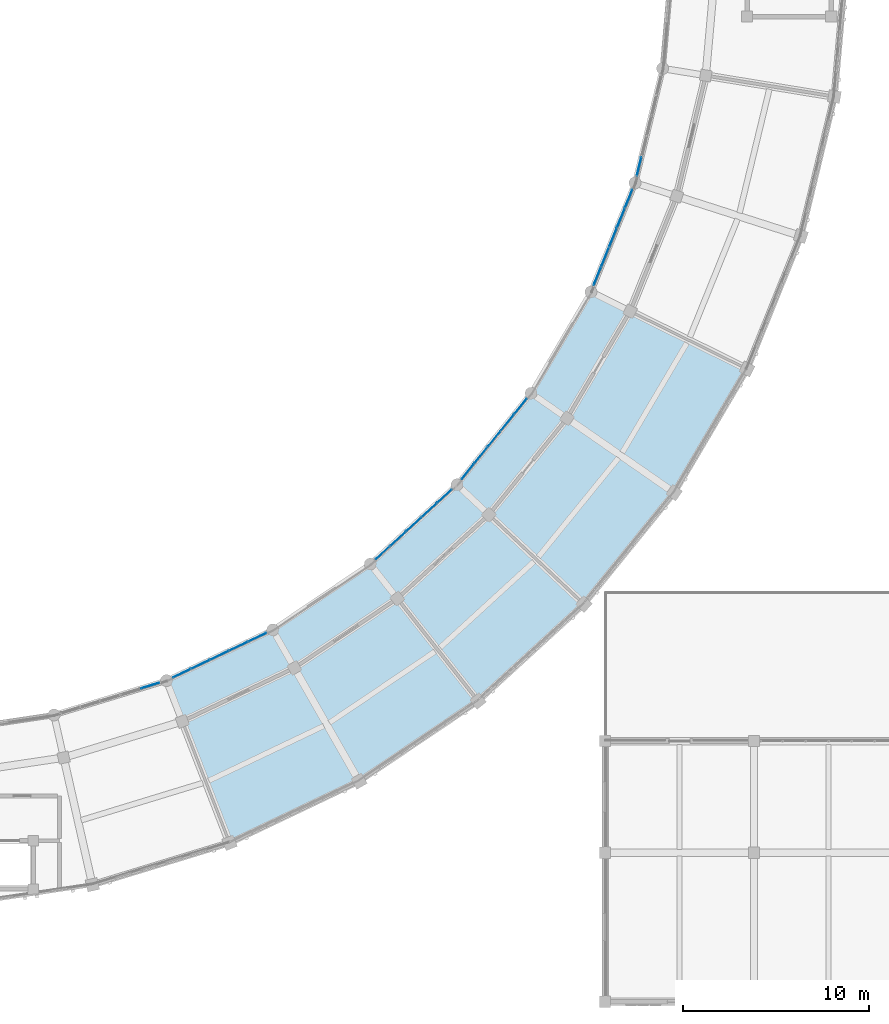
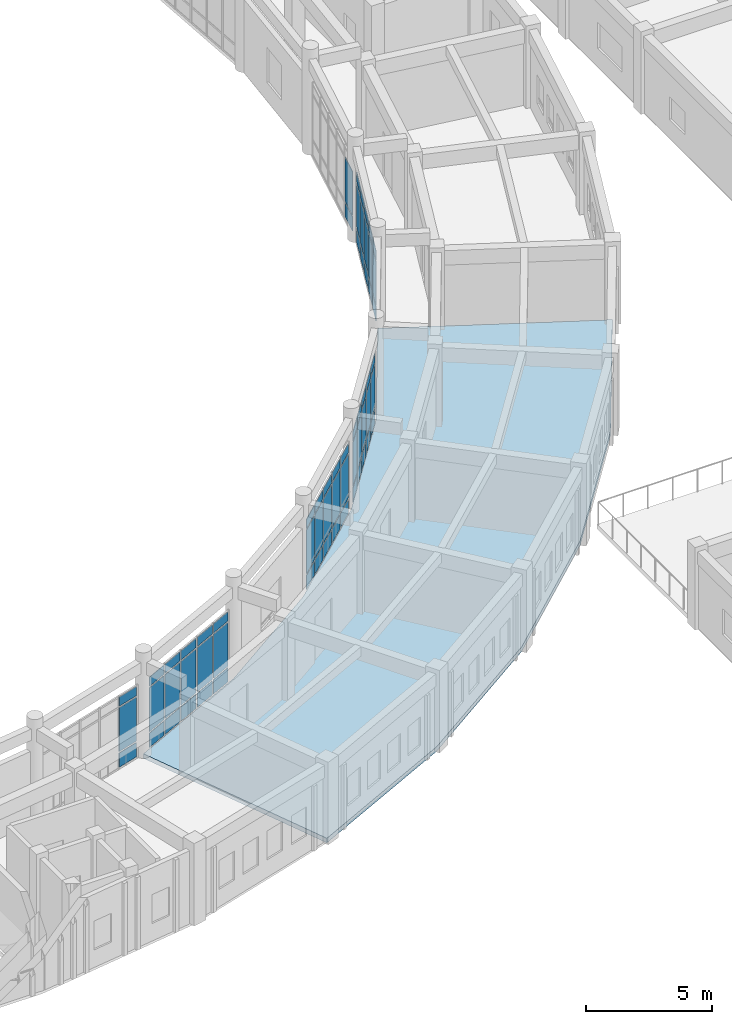
# One storey, part 106 of 159: 65 plates, 1 slab, 6 elements without a shape of their own.
"""IFC4 building model written with IfcOpenShell, lengths in metres."""

from ifc_helpers import new_model, si_unit, direction, frame, origin, origin_2d, place, context, subcontext, project, spatial, polyline, rectangle, outline, extrude, material, layer, layer_set, type_object, element, aggregate, save


model = new_model("IFC4")

# Units and contexts
model_context = context("Model", 3, precision=1e-05, world=origin(), true_north=direction((0.0, 1.0)))
body_context = subcontext(model_context, "Body", "Model", "MODEL_VIEW")
ifc_project = project(units=[si_unit("LENGTHUNIT", "METRE"), si_unit("AREAUNIT", "SQUARE_METRE"), si_unit("VOLUMEUNIT", "CUBIC_METRE"), si_unit("PLANEANGLEUNIT", "RADIAN"), si_unit("MASSUNIT", "GRAM", prefix="KILO")], contexts=[model_context])

# Site, building, storey
site_placement = place(None, origin())
site = spatial("IfcSite", under=ifc_project, at=site_placement, CompositionType="ELEMENT")
building_placement = place(site_placement, origin())
building = spatial("IfcBuilding", under=site, at=building_placement, Name="Celadon Cloister-Ring School", CompositionType="ELEMENT")
storey_placement = place(building_placement, frame((0.0, 0.0, 4.5)))
storey = spatial("IfcBuildingStorey", under=building, at=storey_placement, Name="L01", CompositionType="ELEMENT", Elevation=4.5)

# Curtain wall, plates
ifc_material_1 = material(Name="Aluminium EN AW-6063 T6", Category="aluminium")
curtain_wall_type = type_object("IfcCurtainWallType", Name="CW-01", PredefinedType="USERDEFINED", material=ifc_material_1)
curtain_wall_1_placement = place(storey_placement, origin())
curtain_wall_1 = element("IfcCurtainWall", 1, at=curtain_wall_1_placement, inside=storey, type_object=curtain_wall_type, Name="Curtain Wall 0033", ObjectType="CURTAIN WALL", PredefinedType="USERDEFINED")
ifc_material_2 = material(Name="Tempered laminated insulating glass", Category="glass")
ifc_layer_1 = layer(ifc_material_2, 0.028076171875)
ifc_layer_set_1 = layer_set([ifc_layer_1], Name="Tempered laminated insulating glass")
plate_type = type_object("IfcPlateType", Name="CPN-02", PredefinedType="CURTAIN_PANEL", material=ifc_layer_set_1)
plate_1_placement = place(storey_placement, frame((101.578857421875, 18.98046875, 0.074951171875), z_axis=(0.0, 0.0, 1.0), x_axis=(0.956372111578, 0.2921513036, 0.0)))
plate_1 = element("IfcPlate", 2, at=plate_1_placement, type_object=plate_type, Name="CW-01 panel 5.1", PredefinedType="CURTAIN_PANEL", context=body_context, shape_type="SweptSolid", body=[
    extrude(rectangle(XDim=1.013671875, YDim=0.028076171875, at=origin_2d()), origin(), (0.0, 0.0, 1.0), 0.6875),
])
plate_2_placement = place(storey_placement, frame((101.578857421875, 18.98046875, 0.83740234375), z_axis=(0.0, 0.0, 1.0), x_axis=(0.956372111578, 0.2921513036, 0.0)))
plate_2 = element("IfcPlate", 3, at=plate_2_placement, type_object=plate_type, Name="CW-01 panel 5.2", PredefinedType="CURTAIN_PANEL", context=body_context, shape_type="SweptSolid", body=[
    extrude(rectangle(XDim=1.013671875, YDim=0.028076171875, at=origin_2d()), origin(), (0.0, 0.0, 1.0), 2.125),
])
plate_3_placement = place(storey_placement, frame((101.578857421875, 18.98046875, 3.03759765625), z_axis=(0.0, 0.0, 1.0), x_axis=(0.956372111578, 0.2921513036, 0.0)))
plate_3 = element("IfcPlate", 4, at=plate_3_placement, type_object=plate_type, Name="CW-01 panel 5.3", PredefinedType="CURTAIN_PANEL", context=body_context, shape_type="SweptSolid", body=[
    extrude(rectangle(XDim=1.013671875, YDim=0.028076171875, at=origin_2d()), origin(), (0.0, 0.0, 1.0), 0.4375),
])
aggregate(curtain_wall_1, [plate_1, plate_2, plate_3])

curtain_wall_2_placement = place(storey_placement, origin())
curtain_wall_2 = element("IfcCurtainWall", 5, at=curtain_wall_2_placement, inside=storey, type_object=curtain_wall_type, Name="Curtain Wall 0034", ObjectType="CURTAIN WALL", PredefinedType="USERDEFINED")
plate_4_placement = place(storey_placement, frame((103.27392578125, 19.639404296875, 0.074951171875), z_axis=(0.0, 0.0, 1.0), x_axis=(0.902733326361, 0.430200582842, 0.0)))
plate_4 = element("IfcPlate", 6, at=plate_4_placement, type_object=plate_type, Name="CW-01 panel 1.1", PredefinedType="CURTAIN_PANEL", context=body_context, shape_type="SweptSolid", body=[
    extrude(rectangle(XDim=1.013916015625, YDim=0.028076171875, at=origin_2d()), origin(), (0.0, 0.0, 1.0), 0.6875),
])
plate_5_placement = place(storey_placement, frame((103.27392578125, 19.639404296875, 0.83740234375), z_axis=(0.0, 0.0, 1.0), x_axis=(0.902733326361, 0.430200582842, 0.0)))
plate_5 = element("IfcPlate", 7, at=plate_5_placement, type_object=plate_type, Name="CW-01 panel 1.2", PredefinedType="CURTAIN_PANEL", context=body_context, shape_type="SweptSolid", body=[
    extrude(rectangle(XDim=1.013916015625, YDim=0.028076171875, at=origin_2d()), origin(), (0.0, 0.0, 1.0), 2.125),
])
plate_6_placement = place(storey_placement, frame((103.27392578125, 19.639404296875, 3.03759765625), z_axis=(0.0, 0.0, 1.0), x_axis=(0.902733326361, 0.430200582842, 0.0)))
plate_6 = element("IfcPlate", 8, at=plate_6_placement, type_object=plate_type, Name="CW-01 panel 1.3", PredefinedType="CURTAIN_PANEL", context=body_context, shape_type="SweptSolid", body=[
    extrude(rectangle(XDim=1.013916015625, YDim=0.028076171875, at=origin_2d()), origin(), (0.0, 0.0, 1.0), 0.4375),
])
plate_7_placement = place(storey_placement, frame((104.279296875, 20.11865234375, 0.074951171875), z_axis=(0.0, 0.0, 1.0), x_axis=(0.902733326361, 0.430200582842, 0.0)))
plate_7 = element("IfcPlate", 9, at=plate_7_placement, type_object=plate_type, Name="CW-01 panel 2.1", PredefinedType="CURTAIN_PANEL", context=body_context, shape_type="SweptSolid", body=[
    extrude(rectangle(XDim=1.053955078125, YDim=0.028076171875, at=origin_2d()), origin(), (0.0, 0.0, 1.0), 0.6875),
])
plate_8_placement = place(storey_placement, frame((104.279296875, 20.11865234375, 0.83740234375), z_axis=(0.0, 0.0, 1.0), x_axis=(0.902733326361, 0.430200582842, 0.0)))
plate_8 = element("IfcPlate", 10, at=plate_8_placement, type_object=plate_type, Name="CW-01 panel 2.2", PredefinedType="CURTAIN_PANEL", context=body_context, shape_type="SweptSolid", body=[
    extrude(rectangle(XDim=1.053955078125, YDim=0.028076171875, at=origin_2d()), origin(), (0.0, 0.0, 1.0), 2.125),
])
plate_9_placement = place(storey_placement, frame((104.279296875, 20.11865234375, 3.03759765625), z_axis=(0.0, 0.0, 1.0), x_axis=(0.902733326361, 0.430200582842, 0.0)))
plate_9 = element("IfcPlate", 11, at=plate_9_placement, type_object=plate_type, Name="CW-01 panel 2.3", PredefinedType="CURTAIN_PANEL", context=body_context, shape_type="SweptSolid", body=[
    extrude(rectangle(XDim=1.053955078125, YDim=0.028076171875, at=origin_2d()), origin(), (0.0, 0.0, 1.0), 0.4375),
])
plate_10_placement = place(storey_placement, frame((105.302978515625, 20.6064453125, 0.074951171875), z_axis=(0.0, 0.0, 1.0), x_axis=(0.902733326361, 0.430200582842, 0.0)))
plate_10 = element("IfcPlate", 12, at=plate_10_placement, type_object=plate_type, Name="CW-01 panel 3.1", PredefinedType="CURTAIN_PANEL", context=body_context, shape_type="SweptSolid", body=[
    extrude(rectangle(XDim=1.053955078125, YDim=0.028076171875, at=origin_2d()), origin(), (0.0, 0.0, 1.0), 0.6875),
])
plate_11_placement = place(storey_placement, frame((105.302978515625, 20.6064453125, 0.83740234375), z_axis=(0.0, 0.0, 1.0), x_axis=(0.902733326361, 0.430200582842, 0.0)))
plate_11 = element("IfcPlate", 13, at=plate_11_placement, type_object=plate_type, Name="CW-01 panel 3.2", PredefinedType="CURTAIN_PANEL", context=body_context, shape_type="SweptSolid", body=[
    extrude(rectangle(XDim=1.053955078125, YDim=0.028076171875, at=origin_2d()), origin(), (0.0, 0.0, 1.0), 2.125),
])
plate_12_placement = place(storey_placement, frame((105.302978515625, 20.6064453125, 3.03759765625), z_axis=(0.0, 0.0, 1.0), x_axis=(0.902733326361, 0.430200582842, 0.0)))
plate_12 = element("IfcPlate", 14, at=plate_12_placement, type_object=plate_type, Name="CW-01 panel 3.3", PredefinedType="CURTAIN_PANEL", context=body_context, shape_type="SweptSolid", body=[
    extrude(rectangle(XDim=1.053955078125, YDim=0.028076171875, at=origin_2d()), origin(), (0.0, 0.0, 1.0), 0.4375),
])
plate_13_placement = place(storey_placement, frame((106.32666015625, 21.09423828125, 0.074951171875), z_axis=(0.0, 0.0, 1.0), x_axis=(0.902733326361, 0.430200582842, 0.0)))
plate_13 = element("IfcPlate", 15, at=plate_13_placement, type_object=plate_type, Name="CW-01 panel 4.1", PredefinedType="CURTAIN_PANEL", context=body_context, shape_type="SweptSolid", body=[
    extrude(rectangle(XDim=1.053955078125, YDim=0.028076171875, at=origin_2d()), origin(), (0.0, 0.0, 1.0), 0.6875),
])
plate_14_placement = place(storey_placement, frame((106.32666015625, 21.09423828125, 0.83740234375), z_axis=(0.0, 0.0, 1.0), x_axis=(0.902733326361, 0.430200582842, 0.0)))
plate_14 = element("IfcPlate", 16, at=plate_14_placement, type_object=plate_type, Name="CW-01 panel 4.2", PredefinedType="CURTAIN_PANEL", context=body_context, shape_type="SweptSolid", body=[
    extrude(rectangle(XDim=1.053955078125, YDim=0.028076171875, at=origin_2d()), origin(), (0.0, 0.0, 1.0), 2.125),
])
plate_15_placement = place(storey_placement, frame((106.32666015625, 21.09423828125, 3.03759765625), z_axis=(0.0, 0.0, 1.0), x_axis=(0.902733326361, 0.430200582842, 0.0)))
plate_15 = element("IfcPlate", 17, at=plate_15_placement, type_object=plate_type, Name="CW-01 panel 4.3", PredefinedType="CURTAIN_PANEL", context=body_context, shape_type="SweptSolid", body=[
    extrude(rectangle(XDim=1.053955078125, YDim=0.028076171875, at=origin_2d()), origin(), (0.0, 0.0, 1.0), 0.4375),
])
plate_16_placement = place(storey_placement, frame((107.33203125, 21.573486328125, 0.074951171875), z_axis=(0.0, 0.0, 1.0), x_axis=(0.902733326361, 0.430200582842, 0.0)))
plate_16 = element("IfcPlate", 18, at=plate_16_placement, type_object=plate_type, Name="CW-01 panel 5.1", PredefinedType="CURTAIN_PANEL", context=body_context, shape_type="SweptSolid", body=[
    extrude(rectangle(XDim=1.013916015625, YDim=0.028076171875, at=origin_2d()), origin(), (0.0, 0.0, 1.0), 0.6875),
])
plate_17_placement = place(storey_placement, frame((107.33203125, 21.573486328125, 0.83740234375), z_axis=(0.0, 0.0, 1.0), x_axis=(0.902733326361, 0.430200582842, 0.0)))
plate_17 = element("IfcPlate", 19, at=plate_17_placement, type_object=plate_type, Name="CW-01 panel 5.2", PredefinedType="CURTAIN_PANEL", context=body_context, shape_type="SweptSolid", body=[
    extrude(rectangle(XDim=1.013916015625, YDim=0.028076171875, at=origin_2d()), origin(), (0.0, 0.0, 1.0), 2.125),
])
plate_18_placement = place(storey_placement, frame((107.33203125, 21.573486328125, 3.03759765625), z_axis=(0.0, 0.0, 1.0), x_axis=(0.902733326361, 0.430200582842, 0.0)))
plate_18 = element("IfcPlate", 20, at=plate_18_placement, type_object=plate_type, Name="CW-01 panel 5.3", PredefinedType="CURTAIN_PANEL", context=body_context, shape_type="SweptSolid", body=[
    extrude(rectangle(XDim=1.013916015625, YDim=0.028076171875, at=origin_2d()), origin(), (0.0, 0.0, 1.0), 0.4375),
])
aggregate(curtain_wall_2, [plate_4, plate_5, plate_6, plate_7, plate_8, plate_9, plate_10, plate_11, plate_12, plate_13, plate_14, plate_15, plate_16, plate_17, plate_18])

curtain_wall_3_placement = place(storey_placement, origin())
curtain_wall_3 = element("IfcCurtainWall", 21, at=curtain_wall_3_placement, inside=storey, type_object=curtain_wall_type, Name="Curtain Wall 0035", ObjectType="CURTAIN WALL", PredefinedType="USERDEFINED")
plate_19_placement = place(storey_placement, frame((114.066650390625, 26.113525390625, 0.074951171875), z_axis=(0.0, 0.0, 1.0), x_axis=(0.737388419905, 0.675468961678, 0.0)))
plate_19 = element("IfcPlate", 22, at=plate_19_placement, type_object=plate_type, Name="CW-01 panel 1.1", PredefinedType="CURTAIN_PANEL", context=body_context, shape_type="SweptSolid", body=[
    extrude(rectangle(XDim=1.013671875, YDim=0.028076171875, at=origin_2d()), origin(), (0.0, 0.0, 1.0), 0.6875),
])
plate_20_placement = place(storey_placement, frame((114.066650390625, 26.113525390625, 0.83740234375), z_axis=(0.0, 0.0, 1.0), x_axis=(0.737388419905, 0.675468961678, 0.0)))
plate_20 = element("IfcPlate", 23, at=plate_20_placement, type_object=plate_type, Name="CW-01 panel 1.2", PredefinedType="CURTAIN_PANEL", context=body_context, shape_type="SweptSolid", body=[
    extrude(rectangle(XDim=1.013671875, YDim=0.028076171875, at=origin_2d()), origin(), (0.0, 0.0, 1.0), 2.125),
])
plate_21_placement = place(storey_placement, frame((114.066650390625, 26.113525390625, 3.03759765625), z_axis=(0.0, 0.0, 1.0), x_axis=(0.737388419905, 0.675468961678, 0.0)))
plate_21 = element("IfcPlate", 24, at=plate_21_placement, type_object=plate_type, Name="CW-01 panel 1.3", PredefinedType="CURTAIN_PANEL", context=body_context, shape_type="SweptSolid", body=[
    extrude(rectangle(XDim=1.013671875, YDim=0.028076171875, at=origin_2d()), origin(), (0.0, 0.0, 1.0), 0.4375),
])
plate_22_placement = place(storey_placement, frame((114.887939453125, 26.86572265625, 0.074951171875), z_axis=(0.0, 0.0, 1.0), x_axis=(0.737388419905, 0.675468961678, 0.0)))
plate_22 = element("IfcPlate", 25, at=plate_22_placement, type_object=plate_type, Name="CW-01 panel 2.1", PredefinedType="CURTAIN_PANEL", context=body_context, shape_type="SweptSolid", body=[
    extrude(rectangle(XDim=1.0537109375, YDim=0.028076171875, at=origin_2d()), origin(), (0.0, 0.0, 1.0), 0.6875),
])
plate_23_placement = place(storey_placement, frame((114.887939453125, 26.86572265625, 0.83740234375), z_axis=(0.0, 0.0, 1.0), x_axis=(0.737388419905, 0.675468961678, 0.0)))
plate_23 = element("IfcPlate", 26, at=plate_23_placement, type_object=plate_type, Name="CW-01 panel 2.2", PredefinedType="CURTAIN_PANEL", context=body_context, shape_type="SweptSolid", body=[
    extrude(rectangle(XDim=1.0537109375, YDim=0.028076171875, at=origin_2d()), origin(), (0.0, 0.0, 1.0), 2.125),
])
plate_24_placement = place(storey_placement, frame((114.887939453125, 26.86572265625, 3.03759765625), z_axis=(0.0, 0.0, 1.0), x_axis=(0.737388419905, 0.675468961678, 0.0)))
plate_24 = element("IfcPlate", 27, at=plate_24_placement, type_object=plate_type, Name="CW-01 panel 2.3", PredefinedType="CURTAIN_PANEL", context=body_context, shape_type="SweptSolid", body=[
    extrude(rectangle(XDim=1.0537109375, YDim=0.028076171875, at=origin_2d()), origin(), (0.0, 0.0, 1.0), 0.4375),
])
plate_25_placement = place(storey_placement, frame((115.72412109375, 27.631591796875, 0.074951171875), z_axis=(0.0, 0.0, 1.0), x_axis=(0.737388419905, 0.675468961678, 0.0)))
plate_25 = element("IfcPlate", 28, at=plate_25_placement, type_object=plate_type, Name="CW-01 panel 3.1", PredefinedType="CURTAIN_PANEL", context=body_context, shape_type="SweptSolid", body=[
    extrude(rectangle(XDim=1.0537109375, YDim=0.028076171875, at=origin_2d()), origin(), (0.0, 0.0, 1.0), 0.6875),
])
plate_26_placement = place(storey_placement, frame((115.72412109375, 27.631591796875, 0.83740234375), z_axis=(0.0, 0.0, 1.0), x_axis=(0.737388419905, 0.675468961678, 0.0)))
plate_26 = element("IfcPlate", 29, at=plate_26_placement, type_object=plate_type, Name="CW-01 panel 3.2", PredefinedType="CURTAIN_PANEL", context=body_context, shape_type="SweptSolid", body=[
    extrude(rectangle(XDim=1.0537109375, YDim=0.028076171875, at=origin_2d()), origin(), (0.0, 0.0, 1.0), 2.125),
])
plate_27_placement = place(storey_placement, frame((115.72412109375, 27.631591796875, 3.03759765625), z_axis=(0.0, 0.0, 1.0), x_axis=(0.737388419905, 0.675468961678, 0.0)))
plate_27 = element("IfcPlate", 30, at=plate_27_placement, type_object=plate_type, Name="CW-01 panel 3.3", PredefinedType="CURTAIN_PANEL", context=body_context, shape_type="SweptSolid", body=[
    extrude(rectangle(XDim=1.0537109375, YDim=0.028076171875, at=origin_2d()), origin(), (0.0, 0.0, 1.0), 0.4375),
])
plate_28_placement = place(storey_placement, frame((116.56005859375, 28.397216796875, 0.074951171875), z_axis=(0.0, 0.0, 1.0), x_axis=(0.737388419905, 0.675468961678, 0.0)))
plate_28 = element("IfcPlate", 31, at=plate_28_placement, type_object=plate_type, Name="CW-01 panel 4.1", PredefinedType="CURTAIN_PANEL", context=body_context, shape_type="SweptSolid", body=[
    extrude(rectangle(XDim=1.0537109375, YDim=0.028076171875, at=origin_2d()), origin(), (0.0, 0.0, 1.0), 0.6875),
])
plate_29_placement = place(storey_placement, frame((116.56005859375, 28.397216796875, 0.83740234375), z_axis=(0.0, 0.0, 1.0), x_axis=(0.737388419905, 0.675468961678, 0.0)))
plate_29 = element("IfcPlate", 32, at=plate_29_placement, type_object=plate_type, Name="CW-01 panel 4.2", PredefinedType="CURTAIN_PANEL", context=body_context, shape_type="SweptSolid", body=[
    extrude(rectangle(XDim=1.0537109375, YDim=0.028076171875, at=origin_2d()), origin(), (0.0, 0.0, 1.0), 2.125),
])
plate_30_placement = place(storey_placement, frame((116.56005859375, 28.397216796875, 3.03759765625), z_axis=(0.0, 0.0, 1.0), x_axis=(0.737388419905, 0.675468961678, 0.0)))
plate_30 = element("IfcPlate", 33, at=plate_30_placement, type_object=plate_type, Name="CW-01 panel 4.3", PredefinedType="CURTAIN_PANEL", context=body_context, shape_type="SweptSolid", body=[
    extrude(rectangle(XDim=1.0537109375, YDim=0.028076171875, at=origin_2d()), origin(), (0.0, 0.0, 1.0), 0.4375),
])
plate_31_placement = place(storey_placement, frame((117.38134765625, 29.149658203125, 0.074951171875), z_axis=(0.0, 0.0, 1.0), x_axis=(0.737388419905, 0.675468961678, 0.0)))
plate_31 = element("IfcPlate", 34, at=plate_31_placement, type_object=plate_type, Name="CW-01 panel 5.1", PredefinedType="CURTAIN_PANEL", context=body_context, shape_type="SweptSolid", body=[
    extrude(rectangle(XDim=1.013671875, YDim=0.028076171875, at=origin_2d()), origin(), (0.0, 0.0, 1.0), 0.6875),
])
plate_32_placement = place(storey_placement, frame((117.38134765625, 29.149658203125, 0.83740234375), z_axis=(0.0, 0.0, 1.0), x_axis=(0.737388419905, 0.675468961678, 0.0)))
plate_32 = element("IfcPlate", 35, at=plate_32_placement, type_object=plate_type, Name="CW-01 panel 5.2", PredefinedType="CURTAIN_PANEL", context=body_context, shape_type="SweptSolid", body=[
    extrude(rectangle(XDim=1.013671875, YDim=0.028076171875, at=origin_2d()), origin(), (0.0, 0.0, 1.0), 2.125),
])
plate_33_placement = place(storey_placement, frame((117.38134765625, 29.149658203125, 3.03759765625), z_axis=(0.0, 0.0, 1.0), x_axis=(0.737388419905, 0.675468961678, 0.0)))
plate_33 = element("IfcPlate", 36, at=plate_33_placement, type_object=plate_type, Name="CW-01 panel 5.3", PredefinedType="CURTAIN_PANEL", context=body_context, shape_type="SweptSolid", body=[
    extrude(rectangle(XDim=1.013671875, YDim=0.028076171875, at=origin_2d()), origin(), (0.0, 0.0, 1.0), 0.4375),
])
aggregate(curtain_wall_3, [plate_19, plate_20, plate_21, plate_22, plate_23, plate_24, plate_25, plate_26, plate_27, plate_28, plate_29, plate_30, plate_31, plate_32, plate_33])

curtain_wall_4_placement = place(storey_placement, origin())
curtain_wall_4 = element("IfcCurtainWall", 37, at=curtain_wall_4_placement, inside=storey, type_object=curtain_wall_type, Name="Curtain Wall 0036", ObjectType="CURTAIN WALL", PredefinedType="USERDEFINED")
plate_34_placement = place(storey_placement, frame((118.62841796875, 30.47314453125, 0.074951171875), z_axis=(0.0, 0.0, 1.0), x_axis=(0.629416415615, 0.777068192474, 0.0)))
plate_34 = element("IfcPlate", 38, at=plate_34_placement, type_object=plate_type, Name="CW-01 panel 1.1", PredefinedType="CURTAIN_PANEL", context=body_context, shape_type="SweptSolid", body=[
    extrude(rectangle(XDim=1.013671875, YDim=0.028076171875, at=origin_2d()), origin(), (0.0, 0.0, 1.0), 0.6875),
])
plate_35_placement = place(storey_placement, frame((118.62841796875, 30.47314453125, 0.83740234375), z_axis=(0.0, 0.0, 1.0), x_axis=(0.629416415615, 0.777068192474, 0.0)))
plate_35 = element("IfcPlate", 39, at=plate_35_placement, type_object=plate_type, Name="CW-01 panel 1.2", PredefinedType="CURTAIN_PANEL", context=body_context, shape_type="SweptSolid", body=[
    extrude(rectangle(XDim=1.013671875, YDim=0.028076171875, at=origin_2d()), origin(), (0.0, 0.0, 1.0), 2.125),
])
plate_36_placement = place(storey_placement, frame((118.62841796875, 30.47314453125, 3.03759765625), z_axis=(0.0, 0.0, 1.0), x_axis=(0.629416415615, 0.777068192474, 0.0)))
plate_36 = element("IfcPlate", 40, at=plate_36_placement, type_object=plate_type, Name="CW-01 panel 1.3", PredefinedType="CURTAIN_PANEL", context=body_context, shape_type="SweptSolid", body=[
    extrude(rectangle(XDim=1.013671875, YDim=0.028076171875, at=origin_2d()), origin(), (0.0, 0.0, 1.0), 0.4375),
])
plate_37_placement = place(storey_placement, frame((119.329345703125, 31.33837890625, 0.074951171875), z_axis=(0.0, 0.0, 1.0), x_axis=(0.629416415615, 0.777068192474, 0.0)))
plate_37 = element("IfcPlate", 41, at=plate_37_placement, type_object=plate_type, Name="CW-01 panel 2.1", PredefinedType="CURTAIN_PANEL", context=body_context, shape_type="SweptSolid", body=[
    extrude(rectangle(XDim=1.0537109375, YDim=0.028076171875, at=origin_2d()), origin(), (0.0, 0.0, 1.0), 0.6875),
])
plate_38_placement = place(storey_placement, frame((119.329345703125, 31.33837890625, 0.83740234375), z_axis=(0.0, 0.0, 1.0), x_axis=(0.629416415615, 0.777068192474, 0.0)))
plate_38 = element("IfcPlate", 42, at=plate_38_placement, type_object=plate_type, Name="CW-01 panel 2.2", PredefinedType="CURTAIN_PANEL", context=body_context, shape_type="SweptSolid", body=[
    extrude(rectangle(XDim=1.0537109375, YDim=0.028076171875, at=origin_2d()), origin(), (0.0, 0.0, 1.0), 2.125),
])
plate_39_placement = place(storey_placement, frame((119.329345703125, 31.33837890625, 3.03759765625), z_axis=(0.0, 0.0, 1.0), x_axis=(0.629416415615, 0.777068192474, 0.0)))
plate_39 = element("IfcPlate", 43, at=plate_39_placement, type_object=plate_type, Name="CW-01 panel 2.3", PredefinedType="CURTAIN_PANEL", context=body_context, shape_type="SweptSolid", body=[
    extrude(rectangle(XDim=1.0537109375, YDim=0.028076171875, at=origin_2d()), origin(), (0.0, 0.0, 1.0), 0.4375),
])
plate_40_placement = place(storey_placement, frame((120.04296875, 32.219482421875, 0.074951171875), z_axis=(0.0, 0.0, 1.0), x_axis=(0.629416415615, 0.777068192474, 0.0)))
plate_40 = element("IfcPlate", 44, at=plate_40_placement, type_object=plate_type, Name="CW-01 panel 3.1", PredefinedType="CURTAIN_PANEL", context=body_context, shape_type="SweptSolid", body=[
    extrude(rectangle(XDim=1.0537109375, YDim=0.028076171875, at=origin_2d()), origin(), (0.0, 0.0, 1.0), 0.6875),
])
plate_41_placement = place(storey_placement, frame((120.04296875, 32.219482421875, 0.83740234375), z_axis=(0.0, 0.0, 1.0), x_axis=(0.629416415615, 0.777068192474, 0.0)))
plate_41 = element("IfcPlate", 45, at=plate_41_placement, type_object=plate_type, Name="CW-01 panel 3.2", PredefinedType="CURTAIN_PANEL", context=body_context, shape_type="SweptSolid", body=[
    extrude(rectangle(XDim=1.0537109375, YDim=0.028076171875, at=origin_2d()), origin(), (0.0, 0.0, 1.0), 2.125),
])
plate_42_placement = place(storey_placement, frame((120.04296875, 32.219482421875, 3.03759765625), z_axis=(0.0, 0.0, 1.0), x_axis=(0.629416415615, 0.777068192474, 0.0)))
plate_42 = element("IfcPlate", 46, at=plate_42_placement, type_object=plate_type, Name="CW-01 panel 3.3", PredefinedType="CURTAIN_PANEL", context=body_context, shape_type="SweptSolid", body=[
    extrude(rectangle(XDim=1.0537109375, YDim=0.028076171875, at=origin_2d()), origin(), (0.0, 0.0, 1.0), 0.4375),
])
plate_43_placement = place(storey_placement, frame((120.756591796875, 33.1005859375, 0.074951171875), z_axis=(0.0, 0.0, 1.0), x_axis=(0.629416415615, 0.777068192474, 0.0)))
plate_43 = element("IfcPlate", 47, at=plate_43_placement, type_object=plate_type, Name="CW-01 panel 4.1", PredefinedType="CURTAIN_PANEL", context=body_context, shape_type="SweptSolid", body=[
    extrude(rectangle(XDim=1.0537109375, YDim=0.028076171875, at=origin_2d()), origin(), (0.0, 0.0, 1.0), 0.6875),
])
plate_44_placement = place(storey_placement, frame((120.756591796875, 33.1005859375, 0.83740234375), z_axis=(0.0, 0.0, 1.0), x_axis=(0.629416415615, 0.777068192474, 0.0)))
plate_44 = element("IfcPlate", 48, at=plate_44_placement, type_object=plate_type, Name="CW-01 panel 4.2", PredefinedType="CURTAIN_PANEL", context=body_context, shape_type="SweptSolid", body=[
    extrude(rectangle(XDim=1.0537109375, YDim=0.028076171875, at=origin_2d()), origin(), (0.0, 0.0, 1.0), 2.125),
])
plate_45_placement = place(storey_placement, frame((120.756591796875, 33.1005859375, 3.03759765625), z_axis=(0.0, 0.0, 1.0), x_axis=(0.629416415615, 0.777068192474, 0.0)))
plate_45 = element("IfcPlate", 49, at=plate_45_placement, type_object=plate_type, Name="CW-01 panel 4.3", PredefinedType="CURTAIN_PANEL", context=body_context, shape_type="SweptSolid", body=[
    extrude(rectangle(XDim=1.0537109375, YDim=0.028076171875, at=origin_2d()), origin(), (0.0, 0.0, 1.0), 0.4375),
])
plate_46_placement = place(storey_placement, frame((121.45751953125, 33.966064453125, 0.074951171875), z_axis=(0.0, 0.0, 1.0), x_axis=(0.629416415615, 0.777068192474, 0.0)))
plate_46 = element("IfcPlate", 50, at=plate_46_placement, type_object=plate_type, Name="CW-01 panel 5.1", PredefinedType="CURTAIN_PANEL", context=body_context, shape_type="SweptSolid", body=[
    extrude(rectangle(XDim=1.013671875, YDim=0.028076171875, at=origin_2d()), origin(), (0.0, 0.0, 1.0), 0.6875),
])
plate_47_placement = place(storey_placement, frame((121.45751953125, 33.966064453125, 0.83740234375), z_axis=(0.0, 0.0, 1.0), x_axis=(0.629416415615, 0.777068192474, 0.0)))
plate_47 = element("IfcPlate", 51, at=plate_47_placement, type_object=plate_type, Name="CW-01 panel 5.2", PredefinedType="CURTAIN_PANEL", context=body_context, shape_type="SweptSolid", body=[
    extrude(rectangle(XDim=1.013671875, YDim=0.028076171875, at=origin_2d()), origin(), (0.0, 0.0, 1.0), 2.125),
])
plate_48_placement = place(storey_placement, frame((121.45751953125, 33.966064453125, 3.03759765625), z_axis=(0.0, 0.0, 1.0), x_axis=(0.629416415615, 0.777068192474, 0.0)))
plate_48 = element("IfcPlate", 52, at=plate_48_placement, type_object=plate_type, Name="CW-01 panel 5.3", PredefinedType="CURTAIN_PANEL", context=body_context, shape_type="SweptSolid", body=[
    extrude(rectangle(XDim=1.013671875, YDim=0.028076171875, at=origin_2d()), origin(), (0.0, 0.0, 1.0), 0.4375),
])
aggregate(curtain_wall_4, [plate_34, plate_35, plate_36, plate_37, plate_38, plate_39, plate_40, plate_41, plate_42, plate_43, plate_44, plate_45, plate_46, plate_47, plate_48])

curtain_wall_5_placement = place(storey_placement, origin())
curtain_wall_5 = element("IfcCurtainWall", 53, at=curtain_wall_5_placement, inside=storey, type_object=curtain_wall_type, Name="Curtain Wall 0037", ObjectType="CURTAIN WALL", PredefinedType="USERDEFINED")
plate_49_placement = place(storey_placement, frame((125.583984375, 40.9609375, 0.074951171875), z_axis=(0.0, 0.0, 1.0), x_axis=(0.375037570843, 0.927009611847, 0.0)))
plate_49 = element("IfcPlate", 54, at=plate_49_placement, type_object=plate_type, Name="CW-01 panel 1.1", PredefinedType="CURTAIN_PANEL", context=body_context, shape_type="SweptSolid", body=[
    extrude(rectangle(XDim=1.013671875, YDim=0.028076171875, at=origin_2d()), origin(), (0.0, 0.0, 1.0), 0.6875),
])
plate_50_placement = place(storey_placement, frame((125.583984375, 40.9609375, 0.83740234375), z_axis=(0.0, 0.0, 1.0), x_axis=(0.375037570843, 0.927009611847, 0.0)))
plate_50 = element("IfcPlate", 55, at=plate_50_placement, type_object=plate_type, Name="CW-01 panel 1.2", PredefinedType="CURTAIN_PANEL", context=body_context, shape_type="SweptSolid", body=[
    extrude(rectangle(XDim=1.013671875, YDim=0.028076171875, at=origin_2d()), origin(), (0.0, 0.0, 1.0), 2.125),
])
plate_51_placement = place(storey_placement, frame((125.583984375, 40.9609375, 3.03759765625), z_axis=(0.0, 0.0, 1.0), x_axis=(0.375037570843, 0.927009611847, 0.0)))
plate_51 = element("IfcPlate", 56, at=plate_51_placement, type_object=plate_type, Name="CW-01 panel 1.3", PredefinedType="CURTAIN_PANEL", context=body_context, shape_type="SweptSolid", body=[
    extrude(rectangle(XDim=1.013671875, YDim=0.028076171875, at=origin_2d()), origin(), (0.0, 0.0, 1.0), 0.4375),
])
plate_52_placement = place(storey_placement, frame((126.001708984375, 41.993408203125, 0.074951171875), z_axis=(0.0, 0.0, 1.0), x_axis=(0.375037570843, 0.927009611847, 0.0)))
plate_52 = element("IfcPlate", 57, at=plate_52_placement, type_object=plate_type, Name="CW-01 panel 2.1", PredefinedType="CURTAIN_PANEL", context=body_context, shape_type="SweptSolid", body=[
    extrude(rectangle(XDim=1.0537109375, YDim=0.028076171875, at=origin_2d()), origin(), (0.0, 0.0, 1.0), 0.6875),
])
plate_53_placement = place(storey_placement, frame((126.001708984375, 41.993408203125, 0.83740234375), z_axis=(0.0, 0.0, 1.0), x_axis=(0.375037570843, 0.927009611847, 0.0)))
plate_53 = element("IfcPlate", 58, at=plate_53_placement, type_object=plate_type, Name="CW-01 panel 2.2", PredefinedType="CURTAIN_PANEL", context=body_context, shape_type="SweptSolid", body=[
    extrude(rectangle(XDim=1.0537109375, YDim=0.028076171875, at=origin_2d()), origin(), (0.0, 0.0, 1.0), 2.125),
])
plate_54_placement = place(storey_placement, frame((126.001708984375, 41.993408203125, 3.03759765625), z_axis=(0.0, 0.0, 1.0), x_axis=(0.375037570843, 0.927009611847, 0.0)))
plate_54 = element("IfcPlate", 59, at=plate_54_placement, type_object=plate_type, Name="CW-01 panel 2.3", PredefinedType="CURTAIN_PANEL", context=body_context, shape_type="SweptSolid", body=[
    extrude(rectangle(XDim=1.0537109375, YDim=0.028076171875, at=origin_2d()), origin(), (0.0, 0.0, 1.0), 0.4375),
])
plate_55_placement = place(storey_placement, frame((126.427001953125, 43.04443359375, 0.074951171875), z_axis=(0.0, 0.0, 1.0), x_axis=(0.375037570843, 0.927009611847, 0.0)))
plate_55 = element("IfcPlate", 60, at=plate_55_placement, type_object=plate_type, Name="CW-01 panel 3.1", PredefinedType="CURTAIN_PANEL", context=body_context, shape_type="SweptSolid", body=[
    extrude(rectangle(XDim=1.0537109375, YDim=0.028076171875, at=origin_2d()), origin(), (0.0, 0.0, 1.0), 0.6875),
])
plate_56_placement = place(storey_placement, frame((126.427001953125, 43.04443359375, 0.83740234375), z_axis=(0.0, 0.0, 1.0), x_axis=(0.375037570843, 0.927009611847, 0.0)))
plate_56 = element("IfcPlate", 61, at=plate_56_placement, type_object=plate_type, Name="CW-01 panel 3.2", PredefinedType="CURTAIN_PANEL", context=body_context, shape_type="SweptSolid", body=[
    extrude(rectangle(XDim=1.0537109375, YDim=0.028076171875, at=origin_2d()), origin(), (0.0, 0.0, 1.0), 2.125),
])
plate_57_placement = place(storey_placement, frame((126.427001953125, 43.04443359375, 3.03759765625), z_axis=(0.0, 0.0, 1.0), x_axis=(0.375037570843, 0.927009611847, 0.0)))
plate_57 = element("IfcPlate", 62, at=plate_57_placement, type_object=plate_type, Name="CW-01 panel 3.3", PredefinedType="CURTAIN_PANEL", context=body_context, shape_type="SweptSolid", body=[
    extrude(rectangle(XDim=1.0537109375, YDim=0.028076171875, at=origin_2d()), origin(), (0.0, 0.0, 1.0), 0.4375),
])
plate_58_placement = place(storey_placement, frame((126.852294921875, 44.095458984375, 0.074951171875), z_axis=(0.0, 0.0, 1.0), x_axis=(0.375037570843, 0.927009611847, 0.0)))
plate_58 = element("IfcPlate", 63, at=plate_58_placement, type_object=plate_type, Name="CW-01 panel 4.1", PredefinedType="CURTAIN_PANEL", context=body_context, shape_type="SweptSolid", body=[
    extrude(rectangle(XDim=1.0537109375, YDim=0.028076171875, at=origin_2d()), origin(), (0.0, 0.0, 1.0), 0.6875),
])
plate_59_placement = place(storey_placement, frame((126.852294921875, 44.095458984375, 0.83740234375), z_axis=(0.0, 0.0, 1.0), x_axis=(0.375037570843, 0.927009611847, 0.0)))
plate_59 = element("IfcPlate", 64, at=plate_59_placement, type_object=plate_type, Name="CW-01 panel 4.2", PredefinedType="CURTAIN_PANEL", context=body_context, shape_type="SweptSolid", body=[
    extrude(rectangle(XDim=1.0537109375, YDim=0.028076171875, at=origin_2d()), origin(), (0.0, 0.0, 1.0), 2.125),
])
plate_60_placement = place(storey_placement, frame((126.852294921875, 44.095458984375, 3.03759765625), z_axis=(0.0, 0.0, 1.0), x_axis=(0.375037570843, 0.927009611847, 0.0)))
plate_60 = element("IfcPlate", 65, at=plate_60_placement, type_object=plate_type, Name="CW-01 panel 4.3", PredefinedType="CURTAIN_PANEL", context=body_context, shape_type="SweptSolid", body=[
    extrude(rectangle(XDim=1.0537109375, YDim=0.028076171875, at=origin_2d()), origin(), (0.0, 0.0, 1.0), 0.4375),
])
plate_61_placement = place(storey_placement, frame((127.27001953125, 45.1279296875, 0.074951171875), z_axis=(0.0, 0.0, 1.0), x_axis=(0.375037570843, 0.927009611847, 0.0)))
plate_61 = element("IfcPlate", 66, at=plate_61_placement, type_object=plate_type, Name="CW-01 panel 5.1", PredefinedType="CURTAIN_PANEL", context=body_context, shape_type="SweptSolid", body=[
    extrude(rectangle(XDim=1.013671875, YDim=0.028076171875, at=origin_2d()), origin(), (0.0, 0.0, 1.0), 0.6875),
])
plate_62_placement = place(storey_placement, frame((127.27001953125, 45.1279296875, 0.83740234375), z_axis=(0.0, 0.0, 1.0), x_axis=(0.375037570843, 0.927009611847, 0.0)))
plate_62 = element("IfcPlate", 67, at=plate_62_placement, type_object=plate_type, Name="CW-01 panel 5.2", PredefinedType="CURTAIN_PANEL", context=body_context, shape_type="SweptSolid", body=[
    extrude(rectangle(XDim=1.013671875, YDim=0.028076171875, at=origin_2d()), origin(), (0.0, 0.0, 1.0), 2.125),
])
plate_63_placement = place(storey_placement, frame((127.27001953125, 45.1279296875, 3.03759765625), z_axis=(0.0, 0.0, 1.0), x_axis=(0.375037570843, 0.927009611847, 0.0)))
plate_63 = element("IfcPlate", 68, at=plate_63_placement, type_object=plate_type, Name="CW-01 panel 5.3", PredefinedType="CURTAIN_PANEL", context=body_context, shape_type="SweptSolid", body=[
    extrude(rectangle(XDim=1.013671875, YDim=0.028076171875, at=origin_2d()), origin(), (0.0, 0.0, 1.0), 0.4375),
])
aggregate(curtain_wall_5, [plate_49, plate_50, plate_51, plate_52, plate_53, plate_54, plate_55, plate_56, plate_57, plate_58, plate_59, plate_60, plate_61, plate_62, plate_63])

curtain_wall_6_placement = place(storey_placement, origin())
curtain_wall_6 = element("IfcCurtainWall", 69, at=curtain_wall_6_placement, inside=storey, type_object=curtain_wall_type, Name="Curtain Wall 0038", ObjectType="CURTAIN WALL", PredefinedType="USERDEFINED")
plate_64_placement = place(storey_placement, frame((127.825439453125, 46.859619140625, 0.074951171875), z_axis=(0.0, 0.0, 1.0), x_axis=(0.234100157469, 0.972212485146, 0.0)))
plate_64 = element("IfcPlate", 70, at=plate_64_placement, type_object=plate_type, Name="CW-01 panel 1.1", PredefinedType="CURTAIN_PANEL", context=body_context, shape_type="SweptSolid", body=[
    extrude(rectangle(XDim=1.013671875, YDim=0.028076171875, at=origin_2d()), origin(), (0.0, 0.0, 1.0), 0.6875),
])
plate_65_placement = place(storey_placement, frame((127.825439453125, 46.859619140625, 0.83740234375), z_axis=(0.0, 0.0, 1.0), x_axis=(0.234100157469, 0.972212485146, 0.0)))
plate_65 = element("IfcPlate", 71, at=plate_65_placement, type_object=plate_type, Name="CW-01 panel 1.2", PredefinedType="CURTAIN_PANEL", context=body_context, shape_type="SweptSolid", body=[
    extrude(rectangle(XDim=1.013671875, YDim=0.028076171875, at=origin_2d()), origin(), (0.0, 0.0, 1.0), 2.125),
])
aggregate(curtain_wall_6, [plate_64, plate_65])

# Slab
ifc_material_3 = material(Name="Concrete C35/45", Category="concrete")
ifc_layer_2 = layer(ifc_material_3, 0.219970703125)
ifc_layer_set_2 = layer_set([ifc_layer_2], Name="Concrete C35/45")
slab_type = type_object("IfcSlabType", Name="SL-FL2", PredefinedType="FLOOR", material=ifc_layer_set_2)
slab_placement = place(storey_placement, frame((0.0, 0.0, -0.219970703125)))
element("IfcSlab", 72, at=slab_placement, inside=storey, type_object=slab_type, Name="Ring L01 Sector 0012", PredefinedType="FLOOR", context=body_context, shape_type="SweptSolid", body=[
    extrude(outline(polyline([(102.450927734375, 19.2470703125), (108.155029296875, 21.966064453125), (113.39404296875, 25.498046875), (118.053955078125, 29.764892578125), (122.031982421875, 34.674072265625), (125.241943359375, 40.115966796875), (133.625, 35.97705078125), (129.7119140625, 29.341064453125), (124.862060546875, 23.35595703125), (119.179931640625, 18.153076171875), (112.7919921875, 13.846923828125), (105.837890625, 10.531982421875), (102.450927734375, 19.2470703125)])), origin(), (0.0, 0.0, 1.0), 0.219970703125),
])

save(model, "model.ifc")
